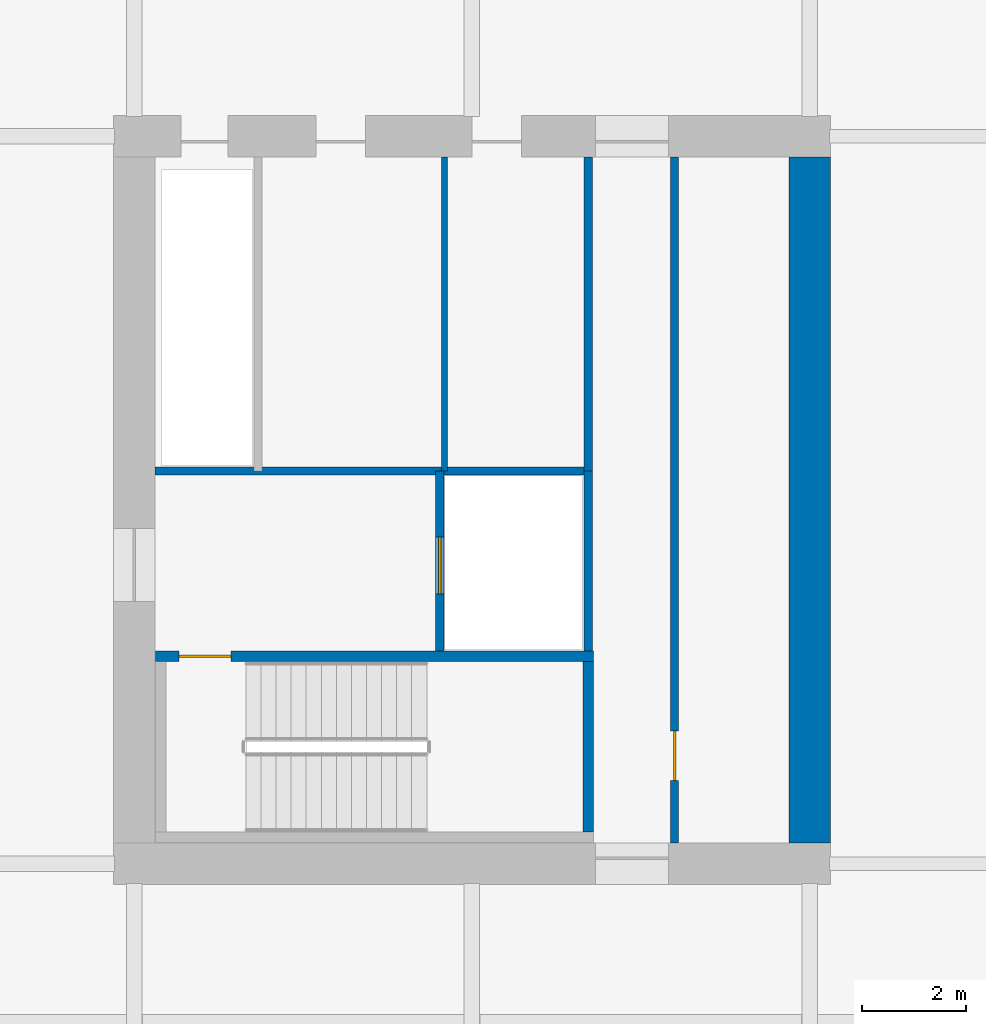
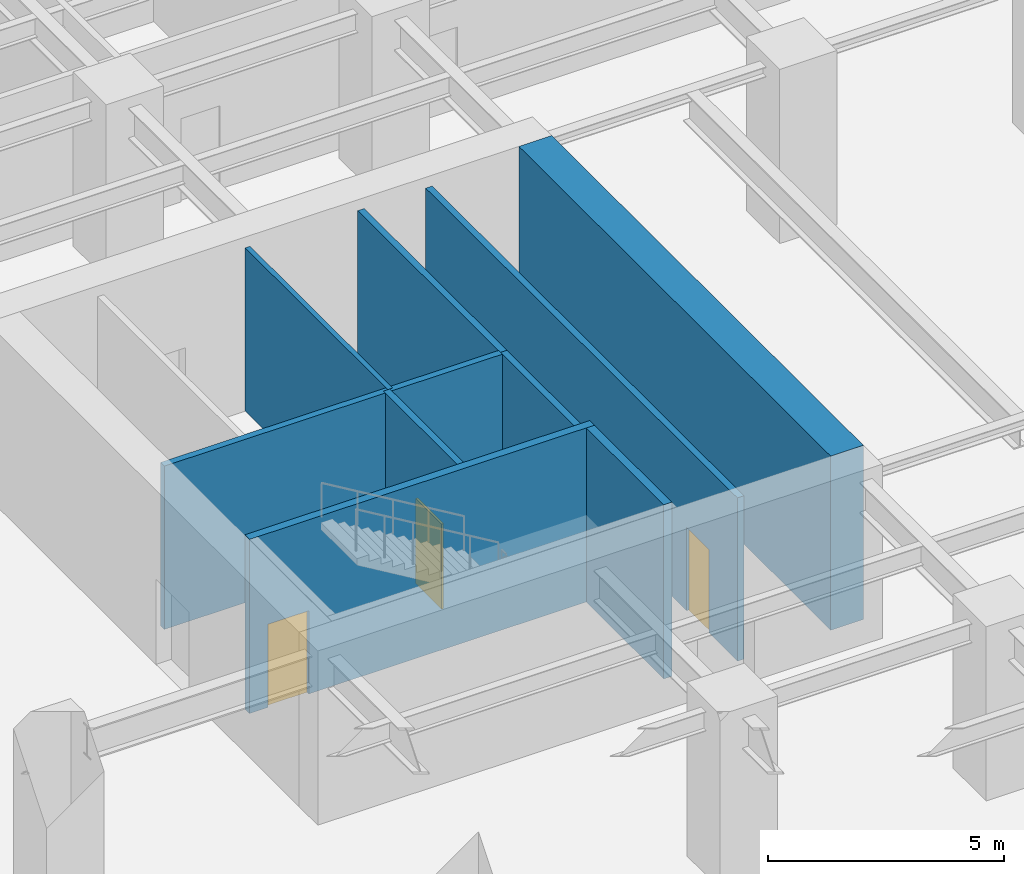
# One storey, part 4 of 10: 9 walls, 3 doors, 3 openings.
"""IFC4 building model written with IfcOpenShell, lengths in metres."""

from ifc_helpers import new_model, si_unit, direction, frame, frame_2d, origin, place, context, subcontext, project, spatial, rectangle, extrude, material, layer, layer_set, type_object, element, fill, save


model = new_model("IFC4")

# Units and contexts
model_context = context("Model", 3, precision=1e-05, world=origin(), true_north=direction((0.0, 1.0)))
body_context = subcontext(model_context, "Body", "Model", "MODEL_VIEW")
ifc_project = project(units=[si_unit("LENGTHUNIT", "METRE"), si_unit("AREAUNIT", "SQUARE_METRE"), si_unit("VOLUMEUNIT", "CUBIC_METRE"), si_unit("PLANEANGLEUNIT", "RADIAN"), si_unit("MASSUNIT", "GRAM", prefix="KILO")], contexts=[model_context])

# Site, building, storey
site_placement = place(None, origin())
site = spatial("IfcSite", under=ifc_project, at=site_placement, CompositionType="ELEMENT")
building_placement = place(site_placement, origin())
building = spatial("IfcBuilding", under=site, at=building_placement, Name="Putna Gate Headquarters", CompositionType="ELEMENT")
storey_placement = place(building_placement, frame((0.0, 0.0, -4.5)))
storey = spatial("IfcBuildingStorey", under=building, at=storey_placement, Name="B01", CompositionType="ELEMENT", Elevation=-4.5)

# Walls
ifc_material_1 = material(Name="Concrete C60/75", Category="concrete")
ifc_layer_1 = layer(ifc_material_1, 0.800048828125)
ifc_layer_set_1 = layer_set([ifc_layer_1], Name="Concrete C60/75")
wall_type_1 = type_object("IfcWallType", Name="WALL-CORE-800", PredefinedType="SHEAR", material=ifc_layer_set_1)
wall_1_placement = place(storey_placement, frame((26.0, 19.39990234375, 0.0), z_axis=(0.0, 0.0, 1.0), x_axis=(0.0, 1.0, 0.0)))
element("IfcWall", 1, at=wall_1_placement, inside=storey, type_object=wall_type_1, Name="B01 WC Split Core Shear Wall E", PredefinedType="SHEAR", context=body_context, shape_type="SweptSolid", body=[
    extrude(rectangle(XDim=13.2001953125, YDim=0.800048828125, at=frame_2d((6.60009765625, 0.0))), origin(), (0.0, 0.0, 1.0), 4.5),
])
ifc_material_2 = material(Name="Fire-rated gypsum board on metal stud")
ifc_layer_2 = layer(ifc_material_2, 0.1201171875)
ifc_layer_set_2 = layer_set([ifc_layer_2], Name="Fire-rated gypsum board on metal stud")
wall_type_2 = type_object("IfcWallType", Name="WALL-PART-120-RATED", PredefinedType="PARTITIONING", material=ifc_layer_set_2)
wall_2_placement = place(storey_placement, frame((18.969970703125, 26.56005859375, 0.0), z_axis=(0.0, 0.0, 1.0), x_axis=(0.0, 1.0, 0.0)))
element("IfcWall", 2, at=wall_2_placement, inside=storey, type_object=wall_type_2, Name="B01 Interior Wall CWINT-B01-WC-K0-DIV", PredefinedType="PARTITIONING", context=body_context, shape_type="SweptSolid", body=[
    extrude(rectangle(XDim=6.0400390625, YDim=0.1201171875, at=frame_2d((3.02001953125, 0.0))), origin(), (0.0, 0.0, 1.0), 4.219970703125),
])
ifc_material_3 = material(Name="Concrete C40/50", Category="concrete")
ifc_layer_3 = layer(ifc_material_3, 0.159912109375)
ifc_layer_set_3 = layer_set([ifc_layer_3], Name="Concrete C40/50")
wall_type_3 = type_object("IfcWallType", Name="WALL-SHAFT-160", PredefinedType="STANDARD", material=ifc_layer_set_3)
wall_3_placement = place(storey_placement, frame((21.739990234375, 23.090087890625, 0.0), z_axis=(0.0, 0.0, 1.0), x_axis=(0.0, 1.0, 0.0)))
element("IfcWall", 3, at=wall_3_placement, inside=storey, type_object=wall_type_3, Name="B01 Interior Wall CWINT-B01-WC-FFL-E", PredefinedType="STANDARD", context=body_context, shape_type="SweptSolid", body=[
    extrude(rectangle(XDim=3.469970703125, YDim=0.159912109375, at=frame_2d((1.73486328125, 0.0))), origin(), (0.0, 0.0, 1.0), 4.219970703125),
])

# Wall, opening, door
wall_4_placement = place(storey_placement, frame((18.8798828125, 23.090087890625, 0.0), z_axis=(0.0, 0.0, 1.0), x_axis=(0.0, 1.0, 0.0)))
wall_4 = element("IfcWall", 4, at=wall_4_placement, inside=storey, type_object=wall_type_3, Name="B01 Interior Wall CWINT-B01-WC-LF13-W", PredefinedType="STANDARD", context=body_context, shape_type="SweptSolid", body=[
    extrude(rectangle(XDim=3.469970703125, YDim=0.159912109375, at=frame_2d((1.73486328125, 0.0))), origin(), (0.0, 0.0, 1.0), 4.219970703125),
])
opening_1_placement = place(wall_4_placement, frame((1.10009765625, 0.0, 0.0)))
opening_1 = element("IfcOpeningElement", 5, at=opening_1_placement, cuts=wall_4, Name="Opening LD-1", PredefinedType="OPENING", context=body_context, shape_type="SweptSolid", body=[
    extrude(rectangle(XDim=1.10009765625, YDim=2.199951171875, at=frame_2d((0.550048828125, 1.10009765625))), frame((0.0, 0.08984375, 0.0), z_axis=(0.0, -1.0, 0.0), x_axis=(1.0, 0.0, 0.0)), (0.0, 0.0, 1.0), 0.179931640625),
])
ifc_material_4 = material(Name="Brushed bronze stainless lift landing door")
door_type_1 = type_object("IfcDoorType", Name="DOOR-LIFT-1100", OperationType="DOUBLE_DOOR_SLIDING", PredefinedType="DOOR", material=ifc_material_4)
door_1_placement = place(opening_1_placement, origin())
door_1 = element("IfcDoor", 6, at=door_1_placement, inside=storey, type_object=door_type_1, Name="B01 Lift Landing Door LD-13", OperationType="DOUBLE_DOOR_SLIDING", OverallHeight=2.199951171875, OverallWidth=1.10009765625, PredefinedType="DOOR", context=body_context, shape_type="SweptSolid", body=[
    extrude(rectangle(XDim=1.10009765625, YDim=2.199951171875, at=frame_2d((0.550048828125, 1.10009765625))), frame((0.0, 0.02490234375, 0.0), z_axis=(0.0, -1.0, 0.0), x_axis=(1.0, 0.0, 0.0)), (0.0, 0.0, 1.0), 0.050048828125),
])
fill(opening_1, door_1)

# Walls
wall_5_placement = place(storey_placement, frame((13.39990234375, 26.56005859375, 0.0), z_axis=(0.0, 0.0, 1.0), x_axis=(1.0, 0.0, 0.0)))
element("IfcWall", 7, at=wall_5_placement, inside=storey, type_object=wall_type_3, Name="B01 Interior Wall CWINT-B01-WC-FFL-N", PredefinedType="STANDARD", context=body_context, shape_type="SweptSolid", body=[
    extrude(rectangle(XDim=8.340087890625, YDim=0.159912109375, at=frame_2d((4.169921875, 0.0))), origin(), (0.0, 0.0, 1.0), 4.219970703125),
])
wall_6_placement = place(storey_placement, frame((21.739990234375, 26.56005859375, 0.0), z_axis=(0.0, 0.0, 1.0), x_axis=(0.0, 1.0, 0.0)))
element("IfcWall", 8, at=wall_6_placement, inside=storey, type_object=wall_type_3, Name="B01 Interior Wall CWINT-B01-WC-LOB-W", PredefinedType="STANDARD", context=body_context, shape_type="SweptSolid", body=[
    extrude(rectangle(XDim=6.0400390625, YDim=0.159912109375, at=frame_2d((3.02001953125, 0.0))), origin(), (0.0, 0.0, 1.0), 4.219970703125),
])

# Wall, opening, door
wall_7_placement = place(storey_placement, frame((23.39990234375, 19.39990234375, 0.0), z_axis=(0.0, 0.0, 1.0), x_axis=(0.0, 1.0, 0.0)))
wall_7 = element("IfcWall", 9, at=wall_7_placement, inside=storey, type_object=wall_type_3, Name="B01 Interior Wall CWINT-B01-WC-PL-WALL", PredefinedType="STANDARD", context=body_context, shape_type="SweptSolid", body=[
    extrude(rectangle(XDim=13.2001953125, YDim=0.159912109375, at=frame_2d((6.60009765625, 0.0))), origin(), (0.0, 0.0, 1.0), 4.219970703125),
])
opening_2_placement = place(wall_7_placement, frame((1.199951171875, 0.0, 0.0)))
opening_2 = element("IfcOpeningElement", 10, at=opening_2_placement, cuts=wall_7, Name="Opening IDS-95F", PredefinedType="OPENING", context=body_context, shape_type="SweptSolid", body=[
    extrude(rectangle(XDim=0.949951171875, YDim=2.14990234375, at=frame_2d((0.47509765625, 1.074951171875))), frame((0.0, 0.08984375, 0.0), z_axis=(0.0, -1.0, 0.0), x_axis=(1.0, 0.0, 0.0)), (0.0, 0.0, 1.0), 0.179931640625),
])
ifc_material_5 = material(Name="Steel-faced fire door", Category="steel")
door_type_2 = type_object("IfcDoorType", Name="DOOR-INT-950-EI90", OperationType="NOTDEFINED", PredefinedType="DOOR", material=ifc_material_5)
door_2_placement = place(opening_2_placement, origin())
door_2 = element("IfcDoor", 11, at=door_2_placement, inside=storey, type_object=door_type_2, Name="B01 Substructure Equipment West Door", OperationType="SINGLE_SWING_RIGHT", OverallHeight=2.14990234375, OverallWidth=0.949951171875, PredefinedType="DOOR", context=body_context, shape_type="SweptSolid", body=[
    extrude(rectangle(XDim=0.949951171875, YDim=2.14990234375, at=frame_2d((0.47509765625, 1.074951171875))), frame((0.0, 0.02490234375, 0.0), z_axis=(0.0, -1.0, 0.0), x_axis=(1.0, 0.0, 0.0)), (0.0, 0.0, 1.0), 0.050048828125),
])
fill(opening_2, door_2)

ifc_layer_4 = layer(ifc_material_3, 0.199951171875)
ifc_layer_set_4 = layer_set([ifc_layer_4], Name="Concrete C40/50")
wall_type_4 = type_object("IfcWallType", Name="WALL-SHAFT-RC200", PredefinedType="SHEAR", material=ifc_layer_set_4)
wall_8_placement = place(storey_placement, frame((13.409912109375, 22.989990234375, 0.0), z_axis=(0.0, 0.0, 1.0), x_axis=(1.0, 0.0, 0.0)))
wall_8 = element("IfcWall", 12, at=wall_8_placement, inside=storey, type_object=wall_type_4, Name="B01 Stair ST1 Structural Shaft Wall N", PredefinedType="SHEAR", context=body_context, shape_type="SweptSolid", body=[
    extrude(rectangle(XDim=8.43017578125, YDim=0.199951171875, at=frame_2d((4.215087890625, 0.0))), origin(), (0.0, 0.0, 1.0), 4.5),
])
opening_3_placement = place(wall_8_placement, frame((0.449951171875, 0.0, 0.0)))
opening_3 = element("IfcOpeningElement", 13, at=opening_3_placement, cuts=wall_8, Name="Opening FD-100", PredefinedType="OPENING", context=body_context, shape_type="SweptSolid", body=[
    extrude(rectangle(XDim=1.0, YDim=2.14990234375, at=frame_2d((0.5, 1.074951171875))), frame((0.0, 0.10986328125, 0.0), z_axis=(0.0, -1.0, 0.0), x_axis=(1.0, 0.0, 0.0)), (0.0, 0.0, 1.0), 0.219970703125),
])
ifc_material_6 = material(Name="Powder-coated steel fire door", Category="steel")
door_type_3 = type_object("IfcDoorType", Name="DOOR-FIRE-1000", OperationType="NOTDEFINED", PredefinedType="DOOR", material=ifc_material_6)
door_3_placement = place(opening_3_placement, origin())
door_3 = element("IfcDoor", 14, at=door_3_placement, inside=storey, type_object=door_type_3, Name="B01 Stair ST1 Fire Door", OperationType="SINGLE_SWING_LEFT", OverallHeight=2.14990234375, OverallWidth=1.0, PredefinedType="DOOR", context=body_context, shape_type="SweptSolid", body=[
    extrude(rectangle(XDim=1.0, YDim=2.14990234375, at=frame_2d((0.5, 1.074951171875))), frame((0.0, 0.02490234375, 0.0), z_axis=(0.0, -1.0, 0.0), x_axis=(1.0, 0.0, 0.0)), (0.0, 0.0, 1.0), 0.050048828125),
])
fill(opening_3, door_3)

# Wall
wall_9_placement = place(storey_placement, frame((21.739990234375, 19.610107421875, 0.0), z_axis=(0.0, 0.0, 1.0), x_axis=(0.0, 1.0, 0.0)))
element("IfcWall", 15, at=wall_9_placement, inside=storey, type_object=wall_type_4, Name="B01 Stair ST1 Structural Shaft Wall E", PredefinedType="SHEAR", context=body_context, shape_type="SweptSolid", body=[
    extrude(rectangle(XDim=3.27978515625, YDim=0.199951171875, at=frame_2d((1.639892578125, 0.0))), origin(), (0.0, 0.0, 1.0), 4.5),
])

save(model, "model.ifc")
